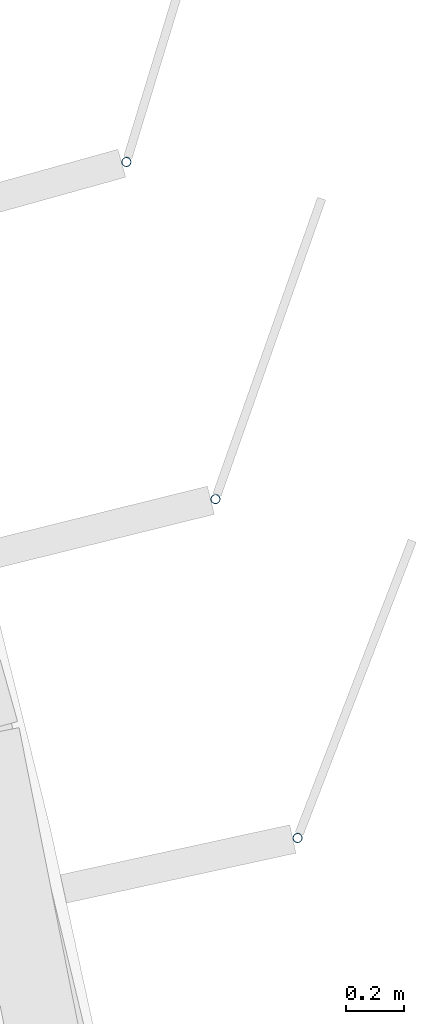
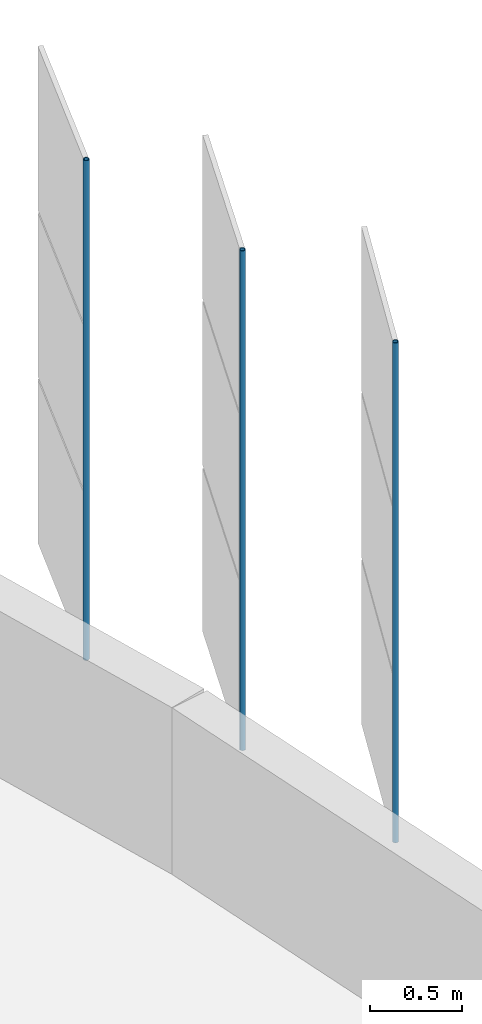
# One storey, part 124 of 199: 3 discrete accessories.
"""IFC4 building model written with IfcOpenShell, lengths in metres."""

from ifc_helpers import new_model, si_unit, direction, frame, origin, origin_2d, place, context, subcontext, project, spatial, hollow_circle, extrude, material, material_profile, profile_set, type_object, element, save


model = new_model("IFC4")

# Units and contexts
model_context = context("Model", 3, precision=1e-05, world=origin(), true_north=direction((0.0, 1.0)))
body_context = subcontext(model_context, "Body", "Model", "MODEL_VIEW")
ifc_project = project(units=[si_unit("LENGTHUNIT", "METRE"), si_unit("AREAUNIT", "SQUARE_METRE"), si_unit("VOLUMEUNIT", "CUBIC_METRE"), si_unit("PLANEANGLEUNIT", "RADIAN"), si_unit("MASSUNIT", "GRAM", prefix="KILO")], contexts=[model_context])

# Site, building, storey
site_placement = place(None, origin())
site = spatial("IfcSite", under=ifc_project, at=site_placement, CompositionType="ELEMENT")
building_placement = place(site_placement, origin())
building = spatial("IfcBuilding", under=site, at=building_placement, Name="Parallax Yard Mobility Hub", CompositionType="ELEMENT")
storey_placement = place(building_placement, frame((0.0, 0.0, 9.89990234375)))
storey = spatial("IfcBuildingStorey", under=building, at=storey_placement, Name="L03", CompositionType="ELEMENT", Elevation=9.89990234375)

# Discrete accessories
ifc_material = material(Name="Steel ASTM A500 Gr C, hot-dip galvanised", Category="steel")
ifc_material_profile = material_profile(ifc_material, hollow_circle(Radius=0.016845703125, WallThickness=0.003173828125, at=origin_2d()), Name="CHS 33.7x3.2")
ifc_profile_set = profile_set([ifc_material_profile], Name="Steel ASTM A500 Gr C, hot-dip galvanised")
discrete_accessory_type = type_object("IfcDiscreteAccessoryType", Name="Hinge post CHS 33.7x3.2", PredefinedType="BRACKET", material=ifc_profile_set)
for number, where, z_axis, x_axis, name in (
    (1, (224.485595703125, 101.860107421875, 0.0), (0.0, 0.0, 1.0), (1.0, 0.0, 0.0), "Hinge post bay 42.4 level L03"),
    (2, (224.203125, 103.026123046875, 0.0), (0.0, 0.0, 1.0), (1.0, 0.0, 0.0), "Hinge post bay 42.5 level L03"),
    (3, (223.896728515625, 104.18603515625, 0.0), (0.0, 0.0, 1.0), (1.0, 0.0, 0.0), "Hinge post bay 42.6 level L03"),
):
    element("IfcDiscreteAccessory", number, at=place(storey_placement, frame(where, z_axis=z_axis, x_axis=x_axis)), inside=storey, type_object=discrete_accessory_type, Name=name, PredefinedType="BRACKET", context=body_context, shape_type="SweptSolid", body=[
        extrude(hollow_circle(Radius=0.016845703125, WallThickness=0.003173828125, at=origin_2d()), origin(), (0.0, 0.0, 1.0), 3.300048828125),
    ])

save(model, "model.ifc")
